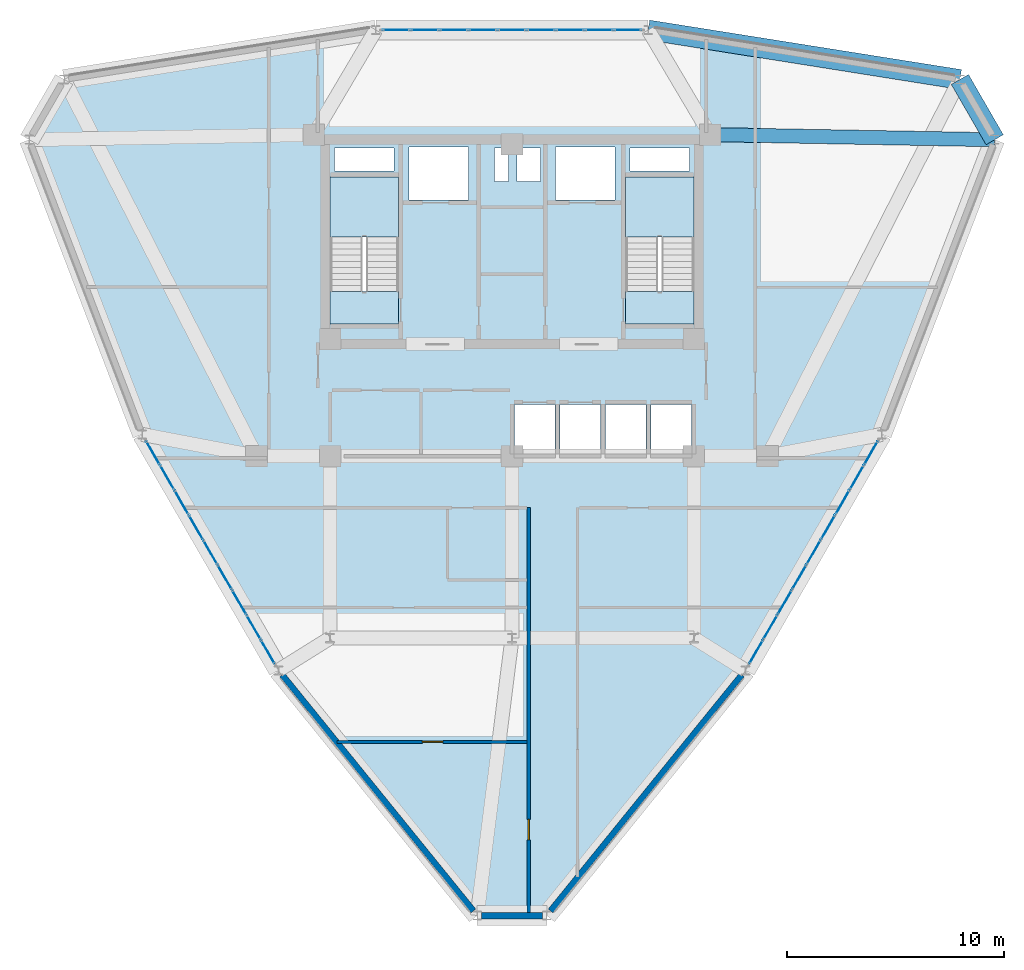
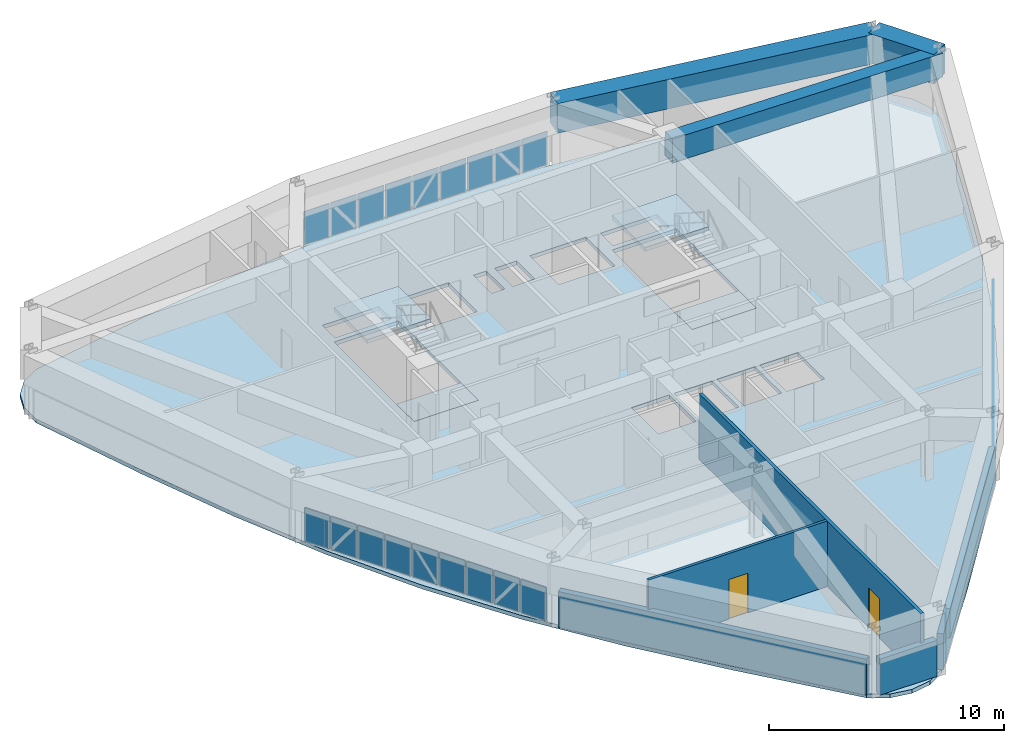
# One storey, part 9 of 13: 27 plates, 5 slabs, 5 walls, 3 beams, 2 doors, 2 openings, 5 elements without a shape of their own.
"""IFC4 building model written with IfcOpenShell, lengths in metres."""

from ifc_helpers import new_model, si_unit, derived_unit, direction, frame, frame_2d, origin, origin_2d, place, context, subcontext, project, spatial, polyline, rectangle, outline, extrude, source, transform, mapped, material, layer, layer_set, material_profile, profile_set, type_object, element, fill, aggregate, save


model = new_model("IFC4")

# Units and contexts
model_context = context("Model", 3, precision=1e-05, world=origin(), true_north=direction((0.0, 1.0)))
body_context = subcontext(model_context, "Body", "Model", "MODEL_VIEW")
ifc_project = project(units=[si_unit("LENGTHUNIT", "METRE"), si_unit("AREAUNIT", "SQUARE_METRE"), si_unit("VOLUMEUNIT", "CUBIC_METRE"), si_unit("PLANEANGLEUNIT", "RADIAN"), si_unit("MASSUNIT", "GRAM", prefix="KILO"), derived_unit("THERMALTRANSMITTANCEUNIT", [(si_unit("POWERUNIT", "WATT"), 1), (si_unit("LENGTHUNIT", "METRE"), -2), (si_unit("THERMODYNAMICTEMPERATUREUNIT", "KELVIN"), -1)])], contexts=[model_context])

# Site, building, storey
site_placement = place(None, origin())
site = spatial("IfcSite", under=ifc_project, at=site_placement, CompositionType="ELEMENT")
building_placement = place(site_placement, origin())
building = spatial("IfcBuilding", under=site, at=building_placement, Name="Korsvarv Bourse and Concert Hall", CompositionType="ELEMENT")
storey_placement = place(building_placement, frame((0.0, 0.0, 183.0)))
storey = spatial("IfcBuildingStorey", under=building, at=storey_placement, Name="L47", CompositionType="ELEMENT", Elevation=183.0)

# Beams
ifc_material_1 = material(Name="Concrete C50/60", Category="concrete")
ifc_material_profile_1 = material_profile(ifc_material_1, rectangle(XDim=0.919921875, YDim=1.530029296875, at=origin_2d()), Name="RC-BM 920x1530")
ifc_profile_set_1 = profile_set([ifc_material_profile_1], Name="Concrete C50/60")
beam_type_1 = type_object("IfcBeamType", Name="BM-TR-154", PredefinedType="BEAM", material=ifc_profile_set_1)
shared_shape_1 = source(origin(), body_context, "Body", "SweptSolid", [
    extrude(rectangle(XDim=0.919921875, YDim=1.530029296875, at=origin_2d()), origin(), (0.0, 0.0, 1.0), 3.21533203125),
])
beam_1_placement = place(storey_placement, frame((58.290283203125, 47.012939453125, 2.635009765625), z_axis=(-0.49998535512, 0.866033858845, 0.0), x_axis=(-0.866033858845, -0.49998535512, 0.0)))
element("IfcBeam", 1, at=beam_1_placement, inside=storey, type_object=beam_type_1, Name="L47 beam B-TR6", PredefinedType="BEAM", context=body_context, shape_type="MappedRepresentation", body=[
    mapped(shared_shape_1, transform((0.0, 0.0, 0.0), scale=1.0)),
])
shared_shape_2 = source(origin(), body_context, "Body", "SweptSolid", [
    extrude(rectangle(XDim=0.919921875, YDim=1.530029296875, at=origin_2d()), origin(), (0.0, 0.0, 1.0), 14.573486328125),
])
beam_2_placement = place(storey_placement, frame((56.6826171875, 49.797607421875, 2.635009765625), z_axis=(-0.987635363781, 0.156768581702, 0.0), x_axis=(-0.156768581702, -0.987635363781, 0.0)))
element("IfcBeam", 2, at=beam_2_placement, inside=storey, type_object=beam_type_1, Name="L47 beam B-TR6", PredefinedType="BEAM", context=body_context, shape_type="MappedRepresentation", body=[
    mapped(shared_shape_2, transform((0.0, 0.0, 0.0), scale=1.0)),
])
ifc_material_profile_2 = material_profile(ifc_material_1, rectangle(XDim=0.64990234375, YDim=1.239990234375, at=origin_2d()), Name="RC-BM 650x1240")
ifc_profile_set_2 = profile_set([ifc_material_profile_2], Name="Concrete C50/60")
beam_type_2 = type_object("IfcBeamType", Name="BM-TR-SPN", PredefinedType="BEAM", material=ifc_profile_set_2)
shared_shape_3 = source(origin(), body_context, "Body", "SweptSolid", [
    extrude(rectangle(XDim=0.64990234375, YDim=1.239990234375, at=origin_2d()), origin(), (0.0, 0.0, 1.0), 13.142578125),
])
beam_3_placement = place(storey_placement, frame((58.290283203125, 47.012939453125, 2.780029296875), z_axis=(-0.999837307824, 0.01803767954, 0.0), x_axis=(-0.01803767954, -0.999837307824, 0.0)))
element("IfcBeam", 3, at=beam_3_placement, inside=storey, type_object=beam_type_2, Name="L47 beam B-TRS", PredefinedType="BEAM", context=body_context, shape_type="MappedRepresentation", body=[
    mapped(shared_shape_3, transform((0.0, 0.0, 0.0), scale=1.0)),
])

# Slabs
ifc_material_2 = material(Name="Precast concrete C45/55", Category="concrete")
ifc_layer_1 = layer(ifc_material_2, 0.199951171875)
ifc_layer_set_1 = layer_set([ifc_layer_1], Name="Precast concrete C45/55")
slab_type_1 = type_object("IfcSlabType", Name="SLB-FLND-T", PredefinedType="LANDING", material=ifc_layer_set_1)
slab_1_placement = place(storey_placement, frame((0.0, 0.0, -0.199951171875)))
element("IfcSlab", 4, at=slab_1_placement, inside=storey, type_object=slab_type_1, Name="L47 Stair ST-T1 Floor Landing Slab", PredefinedType="LANDING", context=body_context, shape_type="SweptSolid", body=[
    extrude(outline(polyline([(30.760009765625, 38.5), (30.760009765625, 40.0), (27.60009765625, 40.0), (27.60009765625, 38.5), (30.760009765625, 38.5)])), origin(), (0.0, 0.0, 1.0), 0.199951171875),
])
slab_2_placement = place(storey_placement, frame((0.0, 0.0, -0.199951171875)))
element("IfcSlab", 5, at=slab_2_placement, inside=storey, type_object=slab_type_1, Name="L47 Stair ST-T2 Floor Landing Slab", PredefinedType="LANDING", context=body_context, shape_type="SweptSolid", body=[
    extrude(outline(polyline([(44.39990234375, 38.5), (44.39990234375, 40.0), (41.239990234375, 40.0), (41.239990234375, 38.5), (44.39990234375, 38.5)])), origin(), (0.0, 0.0, 1.0), 0.199951171875),
])

# Stair, slab
stair_type = type_object("IfcStairType", Name="STR-TYPE-04", PredefinedType="HALF_TURN_STAIR", material=ifc_material_2)
stair_1_placement = place(storey_placement, origin())
stair_1 = element("IfcStair", 6, at=stair_1_placement, inside=storey, type_object=stair_type, Name="L47 Tower West Exit Stair ST-T1", PredefinedType="HALF_TURN_STAIR")
ifc_layer_2 = layer(ifc_material_2, 0.199951171875)
ifc_layer_set_2 = layer_set([ifc_layer_2], Name="Precast concrete C45/55")
slab_type_2 = type_object("IfcSlabType", Name="SLB-ST-LND", PredefinedType="LANDING", material=ifc_layer_set_2)
slab_3_placement = place(storey_placement, frame((0.0, 0.0, 1.60009765625)))
slab_3 = element("IfcSlab", 7, at=slab_3_placement, type_object=slab_type_2, Name="ST-T1 landing 1", PredefinedType="LANDING", context=body_context, shape_type="SweptSolid", body=[
    extrude(outline(polyline([(30.760009765625, 42.52001953125), (30.760009765625, 45.300048828125), (27.60009765625, 45.300048828125), (27.60009765625, 42.52001953125), (30.760009765625, 42.52001953125)])), origin(), (0.0, 0.0, 1.0), 0.199951171875),
])
aggregate(stair_1, [slab_3])

stair_2_placement = place(storey_placement, origin())
stair_2 = element("IfcStair", 8, at=stair_2_placement, inside=storey, type_object=stair_type, Name="L47 Tower East Exit Stair ST-T2", PredefinedType="HALF_TURN_STAIR")
slab_4_placement = place(storey_placement, frame((0.0, 0.0, 1.60009765625)))
slab_4 = element("IfcSlab", 9, at=slab_4_placement, type_object=slab_type_2, Name="ST-T2 landing 1", PredefinedType="LANDING", context=body_context, shape_type="SweptSolid", body=[
    extrude(outline(polyline([(44.39990234375, 42.52001953125), (44.39990234375, 45.300048828125), (41.239990234375, 45.300048828125), (41.239990234375, 42.52001953125), (44.39990234375, 42.52001953125)])), origin(), (0.0, 0.0, 1.0), 0.199951171875),
])
aggregate(stair_2, [slab_4])

# Slab
ifc_material_3 = material(Name="Concrete C45/55", Category="concrete")
ifc_layer_3 = layer(ifc_material_3, 0.199951171875)
ifc_layer_set_3 = layer_set([ifc_layer_3], Name="Concrete C45/55")
slab_type_3 = type_object("IfcSlabType", Name="SLB-TW2", PredefinedType="FLOOR", material=ifc_layer_set_3)
slab_5_placement = place(storey_placement, frame((0.0, 0.0, -0.199951171875)))
element("IfcSlab", 10, at=slab_5_placement, inside=storey, type_object=slab_type_3, Name="L47 tower structural floor slab", PredefinedType="FLOOR", context=body_context, shape_type="SweptSolid", body=[
    extrude(outline(polyline([(57.82861328125, 45.6220703125), (56.160888671875, 40.9970703125), (54.38720703125, 36.45849609375), (52.40966796875, 32.057373046875), (50.16259765625, 27.8232421875), (47.619140625, 23.76025390625), (44.79638671875, 19.84716796875), (41.7529296875, 16.04150390625), (38.581298828125, 12.284912109375), (38.57958984375, 12.282958984375), (37.840576171875, 11.402099609375), (36.9794921875, 10.905029296875), (36.0, 10.732421875), (35.0205078125, 10.905029296875), (34.159423828125, 11.402099609375), (33.42041015625, 12.282958984375), (33.418701171875, 12.284912109375), (30.2470703125, 16.04150390625), (27.20361328125, 19.84716796875), (24.380859375, 23.76025390625), (21.83740234375, 27.8232421875), (19.59033203125, 32.057373046875), (17.61279296875, 36.45849609375), (15.839111328125, 40.9970703125), (14.17138671875, 45.6220703125), (14.170654296875, 45.62451171875), (13.77734375, 46.704833984375), (13.77734375, 47.699462890625), (14.117431640625, 48.6337890625), (14.7568359375, 49.395751953125), (15.617919921875, 49.892822265625), (16.75, 50.092529296875), (16.752685546875, 50.093017578125), (21.591796875, 50.96142578125), (26.409423828125, 51.6943359375), (31.209716796875, 52.1826171875), (36.0, 52.353515625), (40.790283203125, 52.1826171875), (45.590576171875, 51.6943359375), (50.408203125, 50.96142578125), (55.247314453125, 50.093017578125), (55.25, 50.092529296875), (56.382080078125, 49.892822265625), (57.2431640625, 49.395751953125), (57.882568359375, 48.6337890625), (58.22265625, 47.699462890625), (58.22265625, 46.704833984375), (57.829345703125, 45.62451171875), (57.82861328125, 45.6220703125)]), holes=[polyline([(30.760009765625, 38.5), (30.760009765625, 45.300048828125), (27.60009765625, 45.300048828125), (27.60009765625, 38.5), (30.760009765625, 38.5)]), polyline([(44.39990234375, 38.5), (44.39990234375, 45.300048828125), (41.239990234375, 45.300048828125), (41.239990234375, 38.5), (44.39990234375, 38.5)]), polyline([(31.239990234375, 44.219970703125), (34.0, 44.219970703125), (34.0, 46.679931640625), (31.239990234375, 46.679931640625), (31.239990234375, 44.219970703125)]), polyline([(38.0, 44.219970703125), (40.760009765625, 44.219970703125), (40.760009765625, 46.679931640625), (38.0, 46.679931640625), (38.0, 44.219970703125)]), polyline([(36.1201171875, 32.52001953125), (37.97998046875, 32.52001953125), (37.97998046875, 34.780029296875), (36.1201171875, 34.780029296875), (36.1201171875, 32.52001953125)]), polyline([(38.219970703125, 32.52001953125), (40.080078125, 32.52001953125), (40.080078125, 34.780029296875), (38.219970703125, 34.780029296875), (38.219970703125, 32.52001953125)]), polyline([(40.320068359375, 32.52001953125), (42.179931640625, 32.52001953125), (42.179931640625, 34.780029296875), (40.320068359375, 34.780029296875), (40.320068359375, 32.52001953125)]), polyline([(42.419921875, 32.52001953125), (44.280029296875, 32.52001953125), (44.280029296875, 34.780029296875), (42.419921875, 34.780029296875), (42.419921875, 32.52001953125)]), polyline([(27.800048828125, 45.56005859375), (30.56005859375, 45.56005859375), (30.56005859375, 46.6201171875), (27.800048828125, 46.6201171875), (27.800048828125, 45.56005859375)]), polyline([(41.43994140625, 45.56005859375), (44.199951171875, 45.56005859375), (44.199951171875, 46.6201171875), (41.43994140625, 46.6201171875), (41.43994140625, 45.56005859375)]), polyline([(35.199951171875, 45.080078125), (35.840087890625, 45.080078125), (35.840087890625, 46.6201171875), (35.199951171875, 46.6201171875), (35.199951171875, 45.080078125)]), polyline([(36.239990234375, 45.080078125), (37.320068359375, 45.080078125), (37.320068359375, 46.6201171875), (36.239990234375, 46.6201171875), (36.239990234375, 45.080078125)])]), origin(), (0.0, 0.0, 1.0), 0.199951171875),
])

# Curtain wall, plates
ifc_material_4 = material(Name="Anodised aluminium and triple low-E glazing", Category="glass")
ifc_layer_4 = layer(ifc_material_4, 0.199951171875)
ifc_layer_set_4 = layer_set([ifc_layer_4], Name="Anodised aluminium and triple low-E glazing")
curtain_wall_type = type_object("IfcCurtainWallType", Name="CW-SYS-3", PredefinedType="NOTDEFINED", material=ifc_layer_set_4)
curtain_wall_1_placement = place(storey_placement, origin())
curtain_wall_1 = element("IfcCurtainWall", 11, at=curtain_wall_1_placement, inside=storey, type_object=curtain_wall_type, Name="L47 CW3 curtain wall CW-L47-F03", PredefinedType="NOTDEFINED")
ifc_material_5 = material(Name="Tempered triple insulated low-E architectural glass", Category="glass")
ifc_layer_5 = layer(ifc_material_5, 0.0380859375)
ifc_layer_set_5 = layer_set([ifc_layer_5], Name="Tempered triple insulated low-E architectural glass")
plate_type_1 = type_object("IfcPlateType", Name="CWP-VIS2", PredefinedType="CURTAIN_PANEL", material=ifc_layer_set_5)
shared_shape_4 = source(origin(), body_context, "Body", "SweptSolid", [
    extrude(rectangle(XDim=1.236328125, YDim=0.0380859375, at=origin_2d()), origin(), (0.0, 0.0, 1.0), 1.739990234375),
])
plate_1_placement = place(storey_placement, frame((41.34814453125, 52.082275390625, 0.06494140625), z_axis=(0.0, 0.0, 1.0), x_axis=(-1.0, 0.0, 0.0)))
plate_1 = element("IfcPlate", 12, at=plate_1_placement, type_object=plate_type_1, Name="CW3 faceted panel 1.1", PredefinedType="CURTAIN_PANEL", context=body_context, shape_type="MappedRepresentation", body=[
    mapped(shared_shape_4, transform((0.0, 0.0, 0.0), scale=1.0)),
])
plate_2_placement = place(storey_placement, frame((30.65185546875, 52.082275390625, 0.06494140625), z_axis=(0.0, 0.0, 1.0), x_axis=(-1.0, 0.0, 0.0)))
plate_2 = element("IfcPlate", 13, at=plate_2_placement, type_object=plate_type_1, Name="CW3 faceted panel 9.1", PredefinedType="CURTAIN_PANEL", context=body_context, shape_type="MappedRepresentation", body=[
    mapped(shared_shape_4, transform((0.0, 0.0, 0.0), scale=1.0)),
])
ifc_material_6 = material(Name="Insulated spandrel glass", Category="glass")
ifc_layer_6 = layer(ifc_material_6, 0.031982421875)
ifc_layer_set_6 = layer_set([ifc_layer_6], Name="Insulated spandrel glass")
plate_type_2 = type_object("IfcPlateType", Name="CWP-SPD1", PredefinedType="CURTAIN_PANEL", material=ifc_layer_set_6)
shared_shape_5 = source(origin(), body_context, "Body", "SweptSolid", [
    extrude(rectangle(XDim=1.271484375, YDim=0.031982421875, at=origin_2d()), origin(), (0.0, 0.0, 1.0), 1.739990234375),
])
plate_3_placement = place(storey_placement, frame((40.024169921875, 52.082275390625, 0.06494140625), z_axis=(0.0, 0.0, 1.0), x_axis=(-1.0, 0.0, 0.0)))
plate_3 = element("IfcPlate", 14, at=plate_3_placement, type_object=plate_type_2, Name="CW3 spandrel shadow-box panel 2.1", PredefinedType="CURTAIN_PANEL", context=body_context, shape_type="MappedRepresentation", body=[
    mapped(shared_shape_5, transform((0.0, 0.0, 0.0), scale=1.0)),
])
plate_4_placement = place(storey_placement, frame((36.0, 52.082275390625, 0.06494140625), z_axis=(0.0, 0.0, 1.0), x_axis=(-1.0, 0.0, 0.0)))
plate_4 = element("IfcPlate", 15, at=plate_4_placement, type_object=plate_type_2, Name="CW3 spandrel shadow-box panel 5.1", PredefinedType="CURTAIN_PANEL", context=body_context, shape_type="MappedRepresentation", body=[
    mapped(shared_shape_5, transform((0.0, 0.0, 0.0), scale=1.0)),
])
plate_5_placement = place(storey_placement, frame((31.975830078125, 52.082275390625, 0.06494140625), z_axis=(0.0, 0.0, 1.0), x_axis=(-1.0, 0.0, 0.0)))
plate_5 = element("IfcPlate", 16, at=plate_5_placement, type_object=plate_type_2, Name="CW3 spandrel shadow-box panel 8.1", PredefinedType="CURTAIN_PANEL", context=body_context, shape_type="MappedRepresentation", body=[
    mapped(shared_shape_5, transform((0.0, 0.0, 0.0), scale=1.0)),
])
shared_shape_6 = source(origin(), body_context, "Body", "SweptSolid", [
    extrude(rectangle(XDim=1.271484375, YDim=0.0380859375, at=origin_2d()), origin(), (0.0, 0.0, 1.0), 1.739990234375),
])
plate_6_placement = place(storey_placement, frame((38.682861328125, 52.082275390625, 0.06494140625), z_axis=(0.0, 0.0, 1.0), x_axis=(-1.0, 0.0, 0.0)))
plate_6 = element("IfcPlate", 17, at=plate_6_placement, type_object=plate_type_1, Name="CW3 faceted panel 3.1", PredefinedType="CURTAIN_PANEL", context=body_context, shape_type="MappedRepresentation", body=[
    mapped(shared_shape_6, transform((0.0, 0.0, 0.0), scale=1.0)),
])
plate_7_placement = place(storey_placement, frame((37.34130859375, 52.082275390625, 0.06494140625), z_axis=(0.0, 0.0, 1.0), x_axis=(-1.0, 0.0, 0.0)))
plate_7 = element("IfcPlate", 18, at=plate_7_placement, type_object=plate_type_1, Name="CW3 faceted panel 4.1", PredefinedType="CURTAIN_PANEL", context=body_context, shape_type="MappedRepresentation", body=[
    mapped(shared_shape_6, transform((0.0, 0.0, 0.0), scale=1.0)),
])
plate_8_placement = place(storey_placement, frame((34.65869140625, 52.082275390625, 0.06494140625), z_axis=(0.0, 0.0, 1.0), x_axis=(-1.0, 0.0, 0.0)))
plate_8 = element("IfcPlate", 19, at=plate_8_placement, type_object=plate_type_1, Name="CW3 faceted panel 6.1", PredefinedType="CURTAIN_PANEL", context=body_context, shape_type="MappedRepresentation", body=[
    mapped(shared_shape_6, transform((0.0, 0.0, 0.0), scale=1.0)),
])
plate_9_placement = place(storey_placement, frame((33.317138671875, 52.082275390625, 0.06494140625), z_axis=(0.0, 0.0, 1.0), x_axis=(-1.0, 0.0, 0.0)))
plate_9 = element("IfcPlate", 20, at=plate_9_placement, type_object=plate_type_1, Name="CW3 faceted panel 7.1", PredefinedType="CURTAIN_PANEL", context=body_context, shape_type="MappedRepresentation", body=[
    mapped(shared_shape_6, transform((0.0, 0.0, 0.0), scale=1.0)),
])
aggregate(curtain_wall_1, [plate_1, plate_3, plate_6, plate_7, plate_4, plate_8, plate_9, plate_5, plate_2])

curtain_wall_2_placement = place(storey_placement, origin())
curtain_wall_2 = element("IfcCurtainWall", 21, at=curtain_wall_2_placement, inside=storey, type_object=curtain_wall_type, Name="L47 CW3 curtain wall CW-L47-F07", PredefinedType="NOTDEFINED")
shared_shape_7 = source(origin(), body_context, "Body", "SweptSolid", [
    extrude(rectangle(XDim=1.226318359375, YDim=0.0380859375, at=origin_2d()), origin(), (0.0, 0.0, 1.0), 1.739990234375),
])
plate_10_placement = place(storey_placement, frame((19.418212890625, 32.555908203125, 0.06494140625), z_axis=(0.0, 0.0, 1.0), x_axis=(0.499994073747, -0.866028825281, 0.0)))
plate_10 = element("IfcPlate", 22, at=plate_10_placement, type_object=plate_type_1, Name="CW3 faceted panel 1.1", PredefinedType="CURTAIN_PANEL", context=body_context, shape_type="MappedRepresentation", body=[
    mapped(shared_shape_7, transform((0.0, 0.0, 0.0), scale=1.0)),
])
plate_11_placement = place(storey_placement, frame((24.726318359375, 23.36181640625, 0.06494140625), z_axis=(0.0, 0.0, 1.0), x_axis=(0.499994073747, -0.866028825281, 0.0)))
plate_11 = element("IfcPlate", 23, at=plate_11_placement, type_object=plate_type_1, Name="CW3 faceted panel 9.1", PredefinedType="CURTAIN_PANEL", context=body_context, shape_type="MappedRepresentation", body=[
    mapped(shared_shape_7, transform((0.0, 0.0, 0.0), scale=1.0)),
])

curtain_wall_3_placement = place(storey_placement, origin())
curtain_wall_3 = element("IfcCurtainWall", 24, at=curtain_wall_3_placement, inside=storey, type_object=curtain_wall_type, Name="L47 CW3 curtain wall CW-L47-F11", PredefinedType="NOTDEFINED")
plate_12_placement = place(storey_placement, frame((47.273681640625, 23.36181640625, 0.06494140625), z_axis=(0.0, 0.0, 1.0), x_axis=(0.499994073747, 0.866028825281, 0.0)))
plate_12 = element("IfcPlate", 25, at=plate_12_placement, type_object=plate_type_1, Name="CW3 faceted panel 1.1", PredefinedType="CURTAIN_PANEL", context=body_context, shape_type="MappedRepresentation", body=[
    mapped(shared_shape_7, transform((0.0, 0.0, 0.0), scale=1.0)),
])
plate_13_placement = place(storey_placement, frame((52.581787109375, 32.555908203125, 0.06494140625), z_axis=(0.0, 0.0, 1.0), x_axis=(0.499994073747, 0.866028825281, 0.0)))
plate_13 = element("IfcPlate", 26, at=plate_13_placement, type_object=plate_type_1, Name="CW3 faceted panel 9.1", PredefinedType="CURTAIN_PANEL", context=body_context, shape_type="MappedRepresentation", body=[
    mapped(shared_shape_7, transform((0.0, 0.0, 0.0), scale=1.0)),
])

# Plate
shared_shape_8 = source(origin(), body_context, "Body", "SweptSolid", [
    extrude(rectangle(XDim=1.261474609375, YDim=0.031982421875, at=origin_2d()), origin(), (0.0, 0.0, 1.0), 1.739990234375),
])
plate_14_placement = place(storey_placement, frame((20.0751953125, 31.41796875, 0.06494140625), z_axis=(0.0, 0.0, 1.0), x_axis=(0.499994073747, -0.866028825281, 0.0)))
plate_14 = element("IfcPlate", 27, at=plate_14_placement, type_object=plate_type_2, Name="CW3 spandrel shadow-box panel 2.1", PredefinedType="CURTAIN_PANEL", context=body_context, shape_type="MappedRepresentation", body=[
    mapped(shared_shape_8, transform((0.0, 0.0, 0.0), scale=1.0)),
])

plate_15_placement = place(storey_placement, frame((22.072265625, 27.958740234375, 0.06494140625), z_axis=(0.0, 0.0, 1.0), x_axis=(0.499994073747, -0.866028825281, 0.0)))
plate_15 = element("IfcPlate", 28, at=plate_15_placement, type_object=plate_type_2, Name="CW3 spandrel shadow-box panel 5.1", PredefinedType="CURTAIN_PANEL", context=body_context, shape_type="MappedRepresentation", body=[
    mapped(shared_shape_8, transform((0.0, 0.0, 0.0), scale=1.0)),
])

plate_16_placement = place(storey_placement, frame((24.0693359375, 24.499755859375, 0.06494140625), z_axis=(0.0, 0.0, 1.0), x_axis=(0.499994073747, -0.866028825281, 0.0)))
plate_16 = element("IfcPlate", 29, at=plate_16_placement, type_object=plate_type_2, Name="CW3 spandrel shadow-box panel 8.1", PredefinedType="CURTAIN_PANEL", context=body_context, shape_type="MappedRepresentation", body=[
    mapped(shared_shape_8, transform((0.0, 0.0, 0.0), scale=1.0)),
])

plate_17_placement = place(storey_placement, frame((47.9306640625, 24.499755859375, 0.06494140625), z_axis=(0.0, 0.0, 1.0), x_axis=(0.499994073747, 0.866028825281, 0.0)))
plate_17 = element("IfcPlate", 30, at=plate_17_placement, type_object=plate_type_2, Name="CW3 spandrel shadow-box panel 2.1", PredefinedType="CURTAIN_PANEL", context=body_context, shape_type="MappedRepresentation", body=[
    mapped(shared_shape_8, transform((0.0, 0.0, 0.0), scale=1.0)),
])

plate_18_placement = place(storey_placement, frame((49.927734375, 27.958740234375, 0.06494140625), z_axis=(0.0, 0.0, 1.0), x_axis=(0.499994073747, 0.866028825281, 0.0)))
plate_18 = element("IfcPlate", 31, at=plate_18_placement, type_object=plate_type_2, Name="CW3 spandrel shadow-box panel 5.1", PredefinedType="CURTAIN_PANEL", context=body_context, shape_type="MappedRepresentation", body=[
    mapped(shared_shape_8, transform((0.0, 0.0, 0.0), scale=1.0)),
])

plate_19_placement = place(storey_placement, frame((51.9248046875, 31.41796875, 0.06494140625), z_axis=(0.0, 0.0, 1.0), x_axis=(0.499994073747, 0.866028825281, 0.0)))
plate_19 = element("IfcPlate", 32, at=plate_19_placement, type_object=plate_type_2, Name="CW3 spandrel shadow-box panel 8.1", PredefinedType="CURTAIN_PANEL", context=body_context, shape_type="MappedRepresentation", body=[
    mapped(shared_shape_8, transform((0.0, 0.0, 0.0), scale=1.0)),
])

shared_shape_9 = source(origin(), body_context, "Body", "SweptSolid", [
    extrude(rectangle(XDim=1.261474609375, YDim=0.0380859375, at=origin_2d()), origin(), (0.0, 0.0, 1.0), 1.739990234375),
])
plate_20_placement = place(storey_placement, frame((20.740966796875, 30.264892578125, 0.06494140625), z_axis=(0.0, 0.0, 1.0), x_axis=(0.499994073747, -0.866028825281, 0.0)))
plate_20 = element("IfcPlate", 33, at=plate_20_placement, type_object=plate_type_1, Name="CW3 faceted panel 3.1", PredefinedType="CURTAIN_PANEL", context=body_context, shape_type="MappedRepresentation", body=[
    mapped(shared_shape_9, transform((0.0, 0.0, 0.0), scale=1.0)),
])

plate_21_placement = place(storey_placement, frame((21.406494140625, 29.11181640625, 0.06494140625), z_axis=(0.0, 0.0, 1.0), x_axis=(0.499994073747, -0.866028825281, 0.0)))
plate_21 = element("IfcPlate", 34, at=plate_21_placement, type_object=plate_type_1, Name="CW3 faceted panel 4.1", PredefinedType="CURTAIN_PANEL", context=body_context, shape_type="MappedRepresentation", body=[
    mapped(shared_shape_9, transform((0.0, 0.0, 0.0), scale=1.0)),
])

plate_22_placement = place(storey_placement, frame((22.738037109375, 26.8056640625, 0.06494140625), z_axis=(0.0, 0.0, 1.0), x_axis=(0.499994073747, -0.866028825281, 0.0)))
plate_22 = element("IfcPlate", 35, at=plate_22_placement, type_object=plate_type_1, Name="CW3 faceted panel 6.1", PredefinedType="CURTAIN_PANEL", context=body_context, shape_type="MappedRepresentation", body=[
    mapped(shared_shape_9, transform((0.0, 0.0, 0.0), scale=1.0)),
])

plate_23_placement = place(storey_placement, frame((23.403564453125, 25.65283203125, 0.06494140625), z_axis=(0.0, 0.0, 1.0), x_axis=(0.499994073747, -0.866028825281, 0.0)))
plate_23 = element("IfcPlate", 36, at=plate_23_placement, type_object=plate_type_1, Name="CW3 faceted panel 7.1", PredefinedType="CURTAIN_PANEL", context=body_context, shape_type="MappedRepresentation", body=[
    mapped(shared_shape_9, transform((0.0, 0.0, 0.0), scale=1.0)),
])

aggregate(curtain_wall_2, [plate_10, plate_14, plate_20, plate_21, plate_15, plate_22, plate_23, plate_16, plate_11])

plate_24_placement = place(storey_placement, frame((48.596435546875, 25.65283203125, 0.06494140625), z_axis=(0.0, 0.0, 1.0), x_axis=(0.499994073747, 0.866028825281, 0.0)))
plate_24 = element("IfcPlate", 37, at=plate_24_placement, type_object=plate_type_1, Name="CW3 faceted panel 3.1", PredefinedType="CURTAIN_PANEL", context=body_context, shape_type="MappedRepresentation", body=[
    mapped(shared_shape_9, transform((0.0, 0.0, 0.0), scale=1.0)),
])

plate_25_placement = place(storey_placement, frame((49.261962890625, 26.8056640625, 0.06494140625), z_axis=(0.0, 0.0, 1.0), x_axis=(0.499994073747, 0.866028825281, 0.0)))
plate_25 = element("IfcPlate", 38, at=plate_25_placement, type_object=plate_type_1, Name="CW3 faceted panel 4.1", PredefinedType="CURTAIN_PANEL", context=body_context, shape_type="MappedRepresentation", body=[
    mapped(shared_shape_9, transform((0.0, 0.0, 0.0), scale=1.0)),
])

plate_26_placement = place(storey_placement, frame((50.593505859375, 29.11181640625, 0.06494140625), z_axis=(0.0, 0.0, 1.0), x_axis=(0.499994073747, 0.866028825281, 0.0)))
plate_26 = element("IfcPlate", 39, at=plate_26_placement, type_object=plate_type_1, Name="CW3 faceted panel 6.1", PredefinedType="CURTAIN_PANEL", context=body_context, shape_type="MappedRepresentation", body=[
    mapped(shared_shape_9, transform((0.0, 0.0, 0.0), scale=1.0)),
])

plate_27_placement = place(storey_placement, frame((51.259033203125, 30.264892578125, 0.06494140625), z_axis=(0.0, 0.0, 1.0), x_axis=(0.499994073747, 0.866028825281, 0.0)))
plate_27 = element("IfcPlate", 40, at=plate_27_placement, type_object=plate_type_1, Name="CW3 faceted panel 7.1", PredefinedType="CURTAIN_PANEL", context=body_context, shape_type="MappedRepresentation", body=[
    mapped(shared_shape_9, transform((0.0, 0.0, 0.0), scale=1.0)),
])

aggregate(curtain_wall_3, [plate_12, plate_17, plate_24, plate_25, plate_18, plate_26, plate_27, plate_19, plate_13])

# Walls
ifc_material_7 = material(Name="Precast concrete C45/55 with terracotta rainscreen", Category="concrete")
ifc_layer_7 = layer(ifc_material_7, 0.300048828125)
ifc_layer_set_7 = layer_set([ifc_layer_7], Name="Precast concrete C45/55 with terracotta rainscreen")
wall_type_1 = type_object("IfcWallType", Name="WL-EXT-TC1", PredefinedType="SOLIDWALL", material=ifc_layer_set_7)
wall_1_placement = place(storey_placement, frame((34.600341796875, 11.189453125, 0.0), z_axis=(0.0, 0.0, 1.0), x_axis=(1.0, 0.0, 0.0)))
element("IfcWall", 41, at=wall_1_placement, inside=storey, type_object=wall_type_1, Name="L47 terracotta exterior wall EW-L47-B09", PredefinedType="SOLIDWALL", context=body_context, shape_type="SweptSolid", body=[
    extrude(rectangle(XDim=2.79931640625, YDim=0.300048828125, at=frame_2d((1.399658203125, 0.0))), origin(), (0.0, 0.0, 1.0), 1.8701171875),
])
ifc_material_8 = material(Name="Precast concrete C45/55 with fluted terracotta pier", Category="concrete")
ifc_layer_8 = layer(ifc_material_8, 0.280029296875)
ifc_layer_set_8 = layer_set([ifc_layer_8], Name="Precast concrete C45/55 with fluted terracotta pier")
wall_type_2 = type_object("IfcWallType", Name="WL-EXT-TC2", PredefinedType="SOLIDWALL", material=ifc_layer_set_8)
for number, where, z_axis, x_axis, name in (
    (42, (25.389404296875, 22.299072265625, 0.0), (0.0, 0.0, 1.0), (0.629601252026, -0.776918440666, 0.0), "L47 terracotta exterior wall EW-L47-B08"),
    (43, (37.7802734375, 11.402587890625, 0.0), (0.0, 0.0, 1.0), (0.629601252026, 0.776918440666, 0.0), "L47 terracotta exterior wall EW-L47-B10"),
):
    element("IfcWall", number, at=place(storey_placement, frame(where, z_axis=z_axis, x_axis=x_axis)), inside=storey, type_object=wall_type_2, Name=name, PredefinedType="SOLIDWALL", context=body_context, shape_type="SweptSolid", body=[
        extrude(rectangle(XDim=14.025146484375, YDim=0.280029296875, at=frame_2d((7.0126953125, 0.0))), origin(), (0.0, 0.0, 1.0), 1.8701171875),
    ])

# Wall, opening, door
ifc_material_9 = material(Name="Double-stud fire-rated acoustic partition", Category="gypsum")
ifc_layer_9 = layer(ifc_material_9, 0.159912109375)
ifc_layer_set_9 = layer_set([ifc_layer_9], Name="Double-stud fire-rated acoustic partition")
wall_type_3 = type_object("IfcWallType", Name="WL-INT-EI60", PredefinedType="PARTITIONING", material=ifc_layer_set_9)
wall_2_placement = place(storey_placement, frame((36.77490234375, 11.20947265625, 0.0), z_axis=(0.0, 0.0, 1.0), x_axis=(0.0, 1.0, 0.0)))
wall_2 = element("IfcWall", 44, at=wall_2_placement, inside=storey, type_object=wall_type_3, Name="L47 interior partition wall W-L47-TCOR-03", PredefinedType="PARTITIONING", context=body_context, shape_type="SweptSolid", body=[
    extrude(rectangle(XDim=18.820556640625, YDim=0.159912109375, at=frame_2d((9.41015625, 0.0))), origin(), (0.0, 0.0, 1.0), 3.39990234375),
])
opening_1_placement = place(wall_2_placement, frame((3.47021484375, 0.0, 0.0)))
opening_1 = element("IfcOpeningElement", 45, at=opening_1_placement, cuts=wall_2, Name="Opening D-02", PredefinedType="OPENING", context=body_context, shape_type="SweptSolid", body=[
    extrude(rectangle(XDim=0.949951171875, YDim=2.050048828125, at=frame_2d((0.47509765625, 1.02490234375))), frame((0.0, 0.08984375, 0.0), z_axis=(0.0, -1.0, 0.0), x_axis=(1.0, 0.0, 0.0)), (0.0, 0.0, 1.0), 0.179931640625),
])
ifc_material_10 = material(Name="Timber and steel acoustic fire door", Category="wood")
door_type_1 = type_object("IfcDoorType", Name="DR-FD30", OperationType="NOTDEFINED", PredefinedType="DOOR", material=ifc_material_10)
door_1_placement = place(opening_1_placement, origin())
door_1 = element("IfcDoor", 46, at=door_1_placement, inside=storey, type_object=door_type_1, Name="L47 interior door DR-L47-TCOR-AR56", OperationType="SINGLE_SWING_LEFT", OverallHeight=2.050048828125, OverallWidth=0.949951171875, PredefinedType="DOOR", context=body_context, shape_type="SweptSolid", body=[
    extrude(rectangle(XDim=0.949951171875, YDim=2.050048828125, at=frame_2d((0.47509765625, 1.02490234375))), frame((0.0, 0.02490234375, 0.0), z_axis=(0.0, -1.0, 0.0), x_axis=(1.0, 0.0, 0.0)), (0.0, 0.0, 1.0), 0.050048828125),
])
fill(opening_1, door_1)

ifc_material_11 = material(Name="Insulated steel-stud office acoustic partition", Category="gypsum")
ifc_layer_10 = layer(ifc_material_11, 0.139892578125)
ifc_layer_set_10 = layer_set([ifc_layer_10], Name="Insulated steel-stud office acoustic partition")
wall_type_4 = type_object("IfcWallType", Name="WL-INT-P1", PredefinedType="PARTITIONING", material=ifc_layer_set_10)
wall_3_placement = place(storey_placement, frame((27.916748046875, 19.205078125, 0.0), z_axis=(0.0, 0.0, 1.0), x_axis=(1.0, 0.0, 0.0)))
wall_3 = element("IfcWall", 47, at=wall_3_placement, inside=storey, type_object=wall_type_4, Name="L47 interior partition wall W-L47-TCOR-13", PredefinedType="PARTITIONING", context=body_context, shape_type="SweptSolid", body=[
    extrude(rectangle(XDim=8.7763671875, YDim=0.139892578125, at=frame_2d((4.38818359375, 0.0))), origin(), (0.0, 0.0, 1.0), 3.39990234375),
])
opening_2_placement = place(wall_3_placement, frame((3.946533203125, 0.0, 0.0)))
opening_2 = element("IfcOpeningElement", 48, at=opening_2_placement, cuts=wall_3, Name="Opening D-03", PredefinedType="OPENING", context=body_context, shape_type="SweptSolid", body=[
    extrude(rectangle(XDim=0.949951171875, YDim=2.050048828125, at=frame_2d((0.47509765625, 1.02490234375))), frame((0.0, 0.080078125, 0.0), z_axis=(0.0, -1.0, 0.0), x_axis=(1.0, 0.0, 0.0)), (0.0, 0.0, 1.0), 0.159912109375),
])
ifc_material_12 = material(Name="Nordic oak acoustic office door", Category="wood")
door_type_2 = type_object("IfcDoorType", Name="DR-INT-1", OperationType="NOTDEFINED", PredefinedType="DOOR", material=ifc_material_12)
door_2_placement = place(opening_2_placement, origin())
door_2 = element("IfcDoor", 49, at=door_2_placement, inside=storey, type_object=door_type_2, Name="L47 interior door DR-L47-TCOR-AR37", OperationType="SINGLE_SWING_LEFT", OverallHeight=2.050048828125, OverallWidth=0.949951171875, PredefinedType="DOOR", context=body_context, shape_type="SweptSolid", body=[
    extrude(rectangle(XDim=0.949951171875, YDim=2.050048828125, at=frame_2d((0.47509765625, 1.02490234375))), frame((0.0, 0.02490234375, 0.0), z_axis=(0.0, -1.0, 0.0), x_axis=(1.0, 0.0, 0.0)), (0.0, 0.0, 1.0), 0.050048828125),
])
fill(opening_2, door_2)

save(model, "model.ifc")
